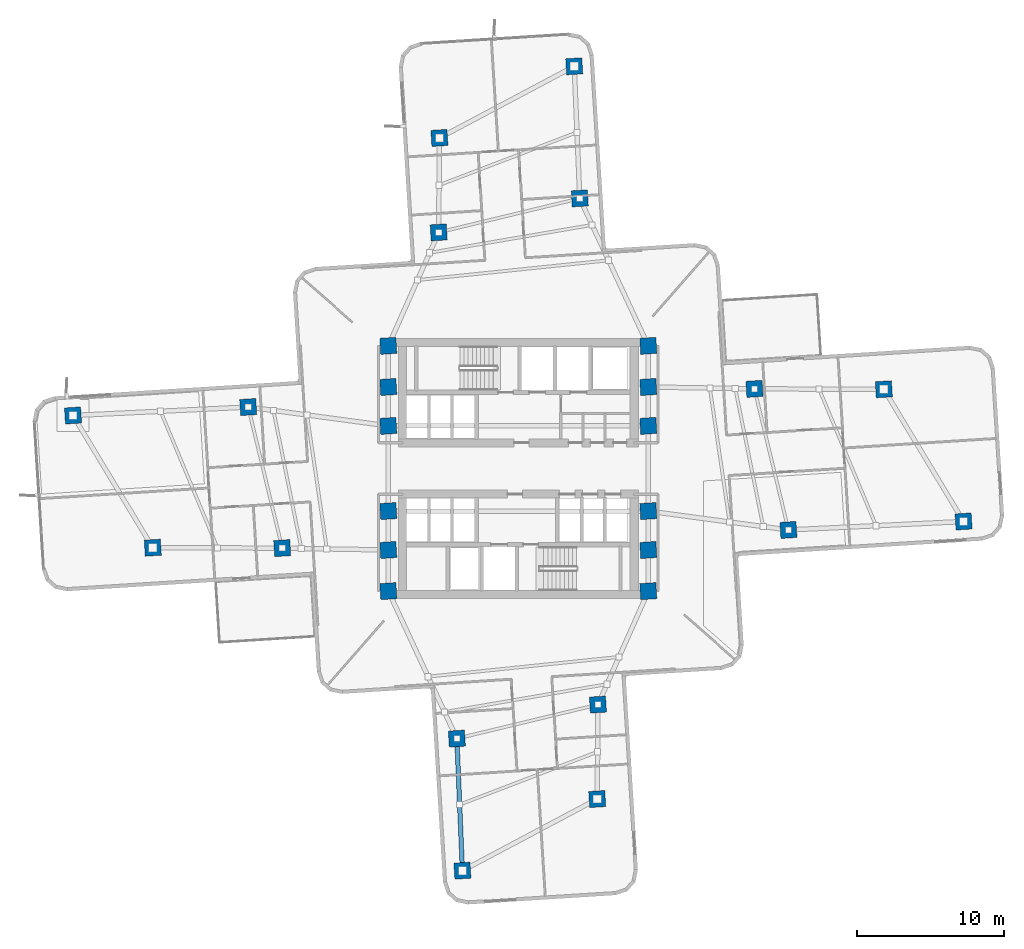
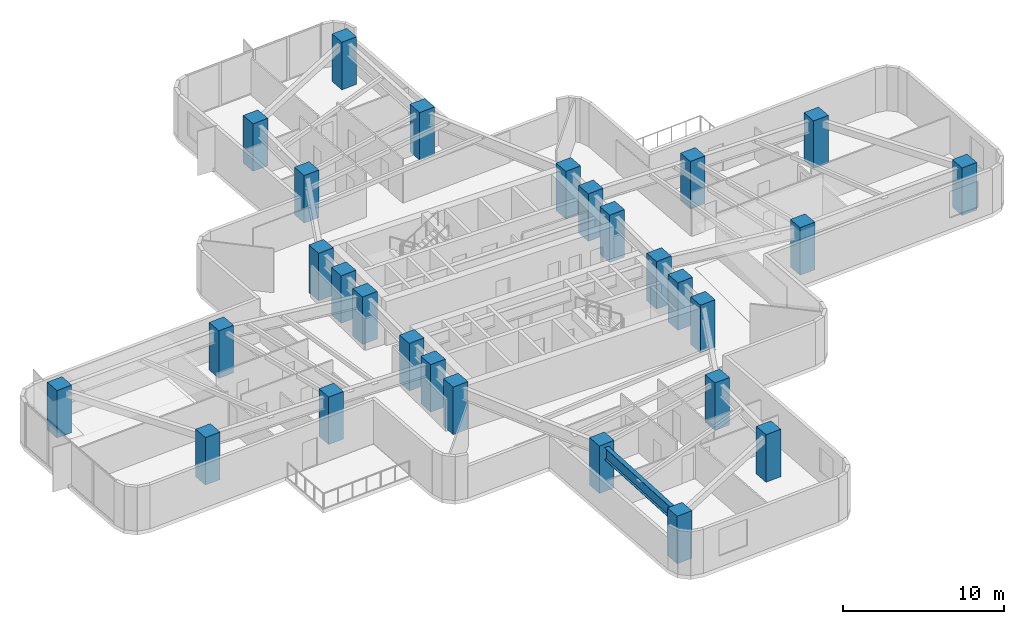
# One storey, part 1 of 16: 28 columns, 1 beam.
"""IFC4 building model written with IfcOpenShell, lengths in metres."""

from ifc_helpers import new_model, si_unit, direction, frame, origin, origin_2d, place, context, subcontext, project, spatial, rectangle, i_section, extrude, material, material_profile, profile_set, type_object, element, save


model = new_model("IFC4")

# Units and contexts
model_context = context("Model", 3, precision=1e-05, world=origin(), true_north=direction((0.0, 1.0)))
body_context = subcontext(model_context, "Body", "Model", "MODEL_VIEW")
ifc_project = project(units=[si_unit("LENGTHUNIT", "METRE"), si_unit("AREAUNIT", "SQUARE_METRE"), si_unit("VOLUMEUNIT", "CUBIC_METRE"), si_unit("PLANEANGLEUNIT", "RADIAN"), si_unit("MASSUNIT", "GRAM", prefix="KILO")], contexts=[model_context])

# Site, building, storey
site_placement = place(None, origin())
site = spatial("IfcSite", under=ifc_project, at=site_placement, CompositionType="ELEMENT")
building_placement = place(site_placement, origin())
building = spatial("IfcBuilding", under=site, at=building_placement, Name="Solmarez Civic Tower", CompositionType="ELEMENT")
storey_placement = place(building_placement, frame((0.0, 0.0, 53.280029296875)))
storey = spatial("IfcBuildingStorey", under=building, at=storey_placement, Name="L13", CompositionType="ELEMENT", Elevation=53.280029296875)

# Columns
ifc_material_1 = material(Name="Concrete C60/75", Category="concrete")
ifc_material_profile_1 = material_profile(ifc_material_1, rectangle(XDim=1.10009765625, YDim=1.10009765625, at=origin_2d()), Name="RC1100X1100")
ifc_profile_set_1 = profile_set([ifc_material_profile_1], Name="Concrete C60/75")
column_type = type_object("IfcColumnType", Name="COL-RC1100", PredefinedType="COLUMN", material=ifc_profile_set_1)
for number, where, z_axis, x_axis, name in (
    (1, (-8.85009765625, -5.550048828125, 0.0), (0.0, 0.0, 1.0), (0.998026728428, 0.062790519529, 0.0), "L13 Structural Column HC1"),
    (2, (-8.85009765625, -2.89990234375, 0.0), (0.0, 0.0, 1.0), (0.998026728428, 0.062790519529, 0.0), "L13 Structural Column HC2"),
    (3, (-8.85009765625, 2.89990234375, 0.0), (0.0, 0.0, 1.0), (0.998026728428, 0.062790519529, 0.0), "L13 Structural Column HC3"),
    (4, (-8.85009765625, 5.550048828125, 0.0), (0.0, 0.0, 1.0), (0.998026728428, 0.062790519529, 0.0), "L13 Structural Column HC4"),
    (5, (8.85009765625, -5.550048828125, 0.0), (0.0, 0.0, 1.0), (0.998026728428, 0.062790519529, 0.0), "L13 Structural Column HC5"),
    (6, (8.85009765625, -2.89990234375, 0.0), (0.0, 0.0, 1.0), (0.998026728428, 0.062790519529, 0.0), "L13 Structural Column HC6"),
    (7, (8.85009765625, 2.89990234375, 0.0), (0.0, 0.0, 1.0), (0.998026728428, 0.062790519529, 0.0), "L13 Structural Column HC7"),
    (8, (8.85009765625, 5.550048828125, 0.0), (0.0, 0.0, 1.0), (0.998026728428, 0.062790519529, 0.0), "L13 Structural Column HC8"),
    (9, (-8.85009765625, 8.35009765625, 0.0), (0.0, 0.0, 1.0), (0.998026728428, 0.062790519529, 0.0), "L13 Structural Column HC9"),
    (10, (8.85009765625, -8.35009765625, 0.0), (0.0, 0.0, 1.0), (0.998026728428, 0.062790519529, 0.0), "L13 Structural Column HC10"),
    (11, (8.85009765625, 8.35009765625, 0.0), (0.0, 0.0, 1.0), (0.998026728428, 0.062790519529, 0.0), "L13 Structural Column HC11"),
    (12, (-8.85009765625, -8.35009765625, 0.0), (0.0, 0.0, 1.0), (0.998026728428, 0.062790519529, 0.0), "L13 Structural Column HC12"),
    (13, (18.39111328125, -4.18408203125, 0.0), (0.0, 0.0, 1.0), (0.998026728428, 0.062790519529, 0.0), "L13 Structural Column EA11"),
    (14, (16.075927734375, 5.4208984375, 0.0), (0.0, 0.0, 1.0), (0.998026728428, 0.062790519529, 0.0), "L13 Structural Column EA12"),
    (15, (30.318115234375, -3.60888671875, 0.0), (0.0, 0.0, 1.0), (0.998026728428, 0.062790519529, 0.0), "L13 Structural Column EA21"),
    (16, (24.887939453125, 5.39306640625, 0.0), (0.0, 0.0, 1.0), (0.998026728428, 0.062790519529, 0.0), "L13 Structural Column EA22"),
    (17, (4.18408203125, 18.39111328125, 0.0), (0.0, 0.0, 1.0), (0.998026728428, 0.062790519529, 0.0), "L13 Structural Column NA11"),
    (18, (-5.4208984375, 16.075927734375, 0.0), (0.0, 0.0, 1.0), (0.998026728428, 0.062790519529, 0.0), "L13 Structural Column NA12"),
    (19, (3.806884765625, 27.383056640625, 0.0), (0.0, 0.0, 1.0), (0.998026728428, 0.062790519529, 0.0), "L13 Structural Column NA21"),
    (20, (-5.3720703125, 22.507080078125, 0.0), (0.0, 0.0, 1.0), (0.998026728428, 0.062790519529, 0.0), "L13 Structural Column NA22"),
    (21, (-18.39111328125, 4.18408203125, 0.0), (0.0, 0.0, 1.0), (0.998026728428, 0.062790519529, 0.0), "L13 Structural Column WA11"),
    (22, (-16.075927734375, -5.4208984375, 0.0), (0.0, 0.0, 1.0), (0.998026728428, 0.062790519529, 0.0), "L13 Structural Column WA12"),
    (23, (-30.318115234375, 3.60888671875, 0.0), (0.0, 0.0, 1.0), (0.998026728428, 0.062790519529, 0.0), "L13 Structural Column WA21"),
    (24, (-24.887939453125, -5.39306640625, 0.0), (0.0, 0.0, 1.0), (0.998026728428, 0.062790519529, 0.0), "L13 Structural Column WA22"),
    (25, (-4.18408203125, -18.39111328125, 0.0), (0.0, 0.0, 1.0), (0.998026728428, 0.062790519529, 0.0), "L13 Structural Column SA11"),
    (26, (5.4208984375, -16.075927734375, 0.0), (0.0, 0.0, 1.0), (0.998026728428, 0.062790519529, 0.0), "L13 Structural Column SA12"),
    (27, (-3.806884765625, -27.383056640625, 0.0), (0.0, 0.0, 1.0), (0.998026728428, 0.062790519529, 0.0), "L13 Structural Column SA21"),
    (28, (5.3720703125, -22.507080078125, 0.0), (0.0, 0.0, 1.0), (0.998026728428, 0.062790519529, 0.0), "L13 Structural Column SA22"),
):
    element("IfcColumn", number, at=place(storey_placement, frame(where, z_axis=z_axis, x_axis=x_axis)), inside=storey, type_object=column_type, Name=name, PredefinedType="COLUMN", context=body_context, shape_type="SweptSolid", body=[
        extrude(rectangle(XDim=1.10009765625, YDim=1.10009765625, at=origin_2d()), origin(), (0.0, 0.0, 1.0), 3.599853515625),
    ])

# Beam
ifc_material_2 = material(Name="Steel S355", Category="steel")
ifc_material_profile_2 = material_profile(ifc_material_2, i_section(OverallWidth=0.303955078125, OverallDepth=0.910888671875, WebThickness=0.015869140625, FlangeThickness=0.02392578125, at=origin_2d()), Name="W36X150")
ifc_profile_set_2 = profile_set([ifc_material_profile_2], Name="Steel S355")
beam_type = type_object("IfcBeamType", Name="BM-PR-W36X150", PredefinedType="BEAM", material=ifc_profile_set_2)
beam_placement = place(storey_placement, frame((-4.18408203125, -18.39111328125, 2.864990234375), z_axis=(0.041911499832, -0.999121327058, 0.0), x_axis=(0.999121327058, 0.041911499832, 0.0)))
element("IfcBeam", 29, at=beam_placement, inside=storey, type_object=beam_type, Name="L13 Primary Floor Beam BM-L13-SA-R2A", PredefinedType="BEAM", context=body_context, shape_type="SweptSolid", body=[
    extrude(i_section(OverallWidth=0.303955078125, OverallDepth=0.910888671875, WebThickness=0.015869140625, FlangeThickness=0.02392578125, at=origin_2d()), origin(), (0.0, 0.0, 1.0), 8.999755859375),
])

save(model, "model.ifc")
